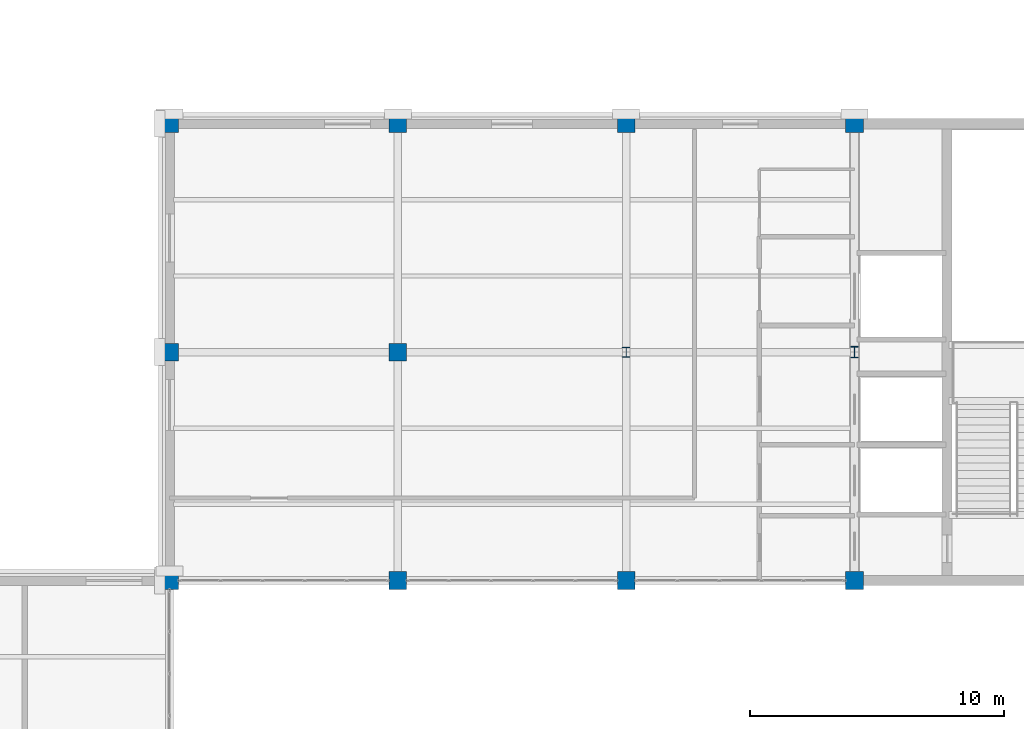
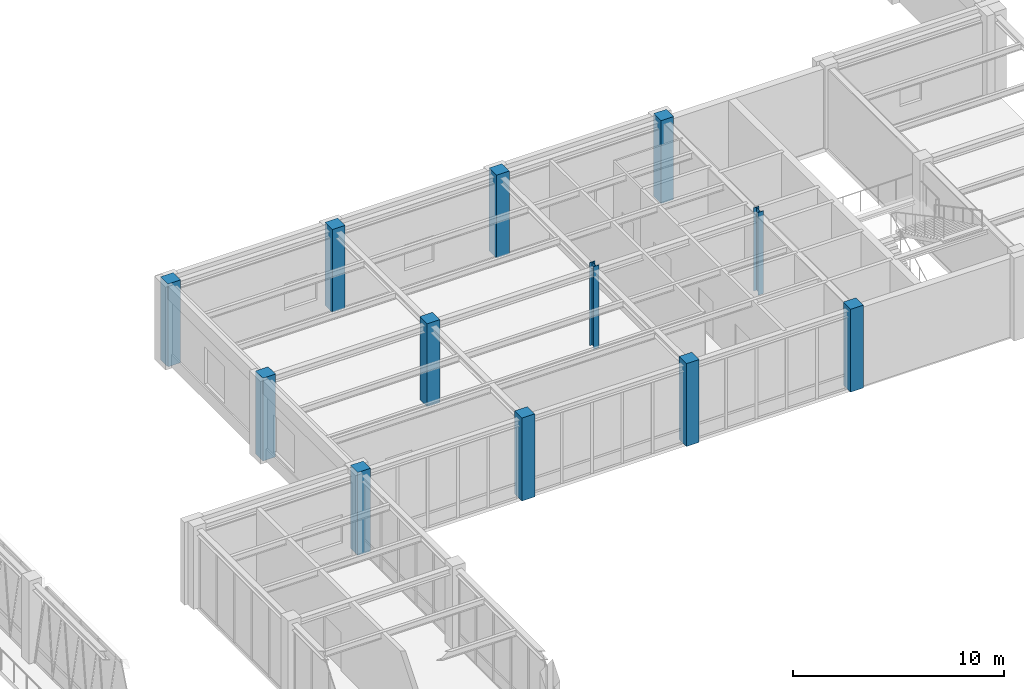
# One storey, part 12 of 92: 12 columns.
"""IFC4 building model written with IfcOpenShell, lengths in metres."""

import ifcopenshell
import ifcopenshell.guid

model = None  # the IFC model being written
_history = None  # IfcOwnerHistory: only IFC2X3 demands one
_inside = {}  # id of a spatial element -> (the spatial element, [elements in it])
_under = {}  # id of a project, library or spatial element -> (it, [spatial elements below it])
_declared = {}  # id of a project -> (the project, [libraries it declares])
_typed = {}  # id of a type object -> (the type object, [elements of that type])
_made_of = {}  # id of a material, layer set ... -> (it, [elements and type objects made of it])


def new_model(schema):
    """Start an empty IFC model of exactly this schema.

    Asked for "IFC4X3", IfcOpenShell would pick the latest addendum, in which some entities
    have other attributes; the version numbers below select the first issue.
    IFC2X3 requires an IfcOwnerHistory on every rooted entity: one is made here for all.
    """
    global model, _history
    if schema == "IFC4X3":
        model = ifcopenshell.file(schema_version=(4, 3, 0, 0))
    else:
        model = ifcopenshell.file(schema=schema)
    _inside.clear()
    _under.clear()
    _declared.clear()
    _typed.clear()
    _made_of.clear()
    _history = None
    if model.schema == "IFC2X3":
        org = make("IfcOrganization", Name="unknown")
        user = make(
            "IfcPersonAndOrganization",
            ThePerson=make("IfcPerson", FamilyName="unknown"),
            TheOrganization=org,
        )
        app = make(
            "IfcApplication",
            ApplicationDeveloper=org,
            Version="unknown",
            ApplicationFullName="unknown",
            ApplicationIdentifier="unknown",
        )
        _history = make(
            "IfcOwnerHistory",
            OwningUser=user,
            OwningApplication=app,
            ChangeAction="ADDED",
            CreationDate=0,
        )
    return model


def make(cls, **values):
    """One entity of the class cls with the attributes given. An attribute that is None is left unset."""
    return model.create_entity(
        cls, **{name: value for name, value in values.items() if value is not None}
    )


def rooted(cls, **values):
    """An entity with a GlobalId (a new one), such as an element, a storey or a relation."""
    return make(cls, GlobalId=ifcopenshell.guid.new(), OwnerHistory=_history, **values)


def si_unit(unit_type, name, prefix=None):
    """IfcSIUnit, for example si_unit("LENGTHUNIT", "METRE", prefix="MILLI")."""
    return make("IfcSIUnit", UnitType=unit_type, Prefix=prefix, Name=name)


def assignment(units):
    """IfcUnitAssignment: the units of a project."""
    return None if units is None else make("IfcUnitAssignment", Units=units)


def point(xyz):
    """IfcCartesianPoint."""
    return None if xyz is None else make("IfcCartesianPoint", Coordinates=xyz)


def direction(xyz):
    """IfcDirection."""
    return None if xyz is None else make("IfcDirection", DirectionRatios=xyz)


def frame(location, z_axis=None, x_axis=None):
    """IfcAxis2Placement3D, a coordinate frame: its origin and axes. An axis left out is left unset."""
    return make(
        "IfcAxis2Placement3D",
        Location=point(location),
        Axis=direction(z_axis),
        RefDirection=direction(x_axis),
    )


def frame_2d(location, x_axis=None):
    """IfcAxis2Placement2D, a coordinate frame in the plane: its origin and x axis."""
    return make(
        "IfcAxis2Placement2D", Location=point(location), RefDirection=direction(x_axis)
    )


def origin():
    """The frame at (0, 0, 0) with its axes left unset."""
    return frame((0.0, 0.0, 0.0))


def origin_2d():
    """The frame at (0, 0) in the plane with its x axis left unset."""
    return frame_2d((0.0, 0.0))


def place(relative_to, where):
    """IfcLocalPlacement: puts the frame where relative to a parent placement (None: the world)."""
    return make(
        "IfcLocalPlacement", PlacementRelTo=relative_to, RelativePlacement=where
    )


def context(
    kind, dimensions, precision=None, world=None, true_north=None, identifier=None
):
    """IfcGeometricRepresentationContext, for example the 3D "Model" context."""
    return make(
        "IfcGeometricRepresentationContext",
        ContextIdentifier=identifier,
        ContextType=kind,
        CoordinateSpaceDimension=dimensions,
        Precision=precision,
        WorldCoordinateSystem=world,
        TrueNorth=true_north,
    )


def subcontext(parent, identifier, kind, view, scale=None):
    """IfcGeometricRepresentationSubContext, for example "Body" below "Model"."""
    return make(
        "IfcGeometricRepresentationSubContext",
        ContextIdentifier=identifier,
        ContextType=kind,
        ParentContext=parent,
        TargetScale=scale,
        TargetView=view,
    )


def project(units=None, contexts=None):
    """IfcProject with its units and contexts."""
    return rooted(
        "IfcProject",
        Name="project",
        RepresentationContexts=contexts,
        UnitsInContext=assignment(units),
    )


def spatial(cls, under=None, at=None, **own):
    """A site, building, storey or space (cls), placed at a placement, below another one or the project."""
    s = rooted(cls, ObjectPlacement=at, **own)
    if under is not None:
        _under.setdefault(under.id(), (under, []))[1].append(s)
    return s


def profile(cls, at=None, kind="AREA", **sizes):
    """A parametric profile (cls). Its sizes go by their IFC names, for example OverallWidth=200.0."""
    return make(cls, ProfileType=kind, Position=at, **sizes)


def rectangle(**sizes):
    """IfcRectangleProfileDef."""
    return profile("IfcRectangleProfileDef", **sizes)


def i_section(**sizes):
    """IfcIShapeProfileDef."""
    return profile("IfcIShapeProfileDef", **sizes)


def extrude(swept, where, along, depth):
    """IfcExtrudedAreaSolid: the profile swept, set in the frame where, extruded along a direction by depth."""
    return make(
        "IfcExtrudedAreaSolid",
        SweptArea=swept,
        Position=where,
        ExtrudedDirection=direction(along),
        Depth=depth,
    )


def shape(context_of_items, identifier, shape_type, items):
    """IfcShapeRepresentation: the items that make up one representation, for example the "Body"."""
    return make(
        "IfcShapeRepresentation",
        ContextOfItems=context_of_items,
        RepresentationIdentifier=identifier,
        RepresentationType=shape_type,
        Items=items,
    )


def material(Name=None, Category=None):
    """IfcMaterial."""
    return make("IfcMaterial", Name=Name, Category=Category)


def material_profile(
    of_material, cross_section, Name=None, Category=None, Priority=None
):
    """IfcMaterialProfile: a cross section and its material."""
    return make(
        "IfcMaterialProfile",
        Name=Name,
        Material=of_material,
        Profile=cross_section,
        Priority=Priority,
        Category=Category,
    )


def profile_set(profiles, Name=None, composite=None):
    """IfcMaterialProfileSet."""
    return make(
        "IfcMaterialProfileSet",
        Name=Name,
        MaterialProfiles=profiles,
        CompositeProfile=composite,
    )


def made_of(thing, what):
    """Note that an element or type object is made of a material, layer set ...; save() writes the relation."""
    if what is not None:
        _made_of.setdefault(what.id(), (what, []))[1].append(thing)
    return thing


def type_object(cls, material=None, **own):
    """A type object (cls), such as IfcWallType, which elements share."""
    return made_of(rooted(cls, **own), material)


def element(
    cls,
    number,
    at=None,
    inside=None,
    cuts=None,
    type_object=None,
    material=None,
    context=None,
    identifier="Body",
    shape_type=None,
    held_by="IfcProductDefinitionShape",
    body=None,
    shapes=None,
    **own,
):
    """One element of the class cls, such as IfcWall. Its Tag is "e" and its number.

    at: its placement. inside: the storey or other place that contains it. cuts: it is an
    opening in that element (IfcRelVoidsElement). A single representation is given by context,
    identifier, shape_type and body (its items); several are given by shapes. held_by: the class
    of the entity that holds the representations. save() writes the other relations.
    """
    e = rooted(cls, Tag="e%d" % number, ObjectPlacement=at, **own)
    if body is not None:
        shapes = [shape(context, identifier, shape_type, body)]
    if shapes is not None:
        e.Representation = make(held_by, Representations=shapes)
    if inside is not None:
        _inside.setdefault(inside.id(), (inside, []))[1].append(e)
    if cuts is not None:
        rooted(
            "IfcRelVoidsElement", RelatingBuildingElement=cuts, RelatedOpeningElement=e
        )
    if type_object is not None:
        _typed.setdefault(type_object.id(), (type_object, []))[1].append(e)
    return made_of(e, material)


def aggregate(whole, parts):
    """IfcRelAggregates: a whole, such as a stair, and the parts it consists of."""
    return rooted("IfcRelAggregates", RelatingObject=whole, RelatedObjects=parts)


def save(model, path):
    """Write the relations noted so far, then the file.

    IfcRelAggregates (storeys below a building ...), IfcRelContainedInSpatialStructure (elements
    in a storey), IfcRelDefinesByType, IfcRelAssociatesMaterial and IfcRelDeclares: one each for
    every whole, place, type object, material and project.
    """
    for whole, parts in _under.values():
        aggregate(whole, parts)
    for where, things in _inside.values():
        rooted(
            "IfcRelContainedInSpatialStructure",
            RelatedElements=things,
            RelatingStructure=where,
        )
    for kind, things in _typed.values():
        rooted("IfcRelDefinesByType", RelatedObjects=things, RelatingType=kind)
    for what, things in _made_of.values():
        rooted("IfcRelAssociatesMaterial", RelatedObjects=things, RelatingMaterial=what)
    for by, libraries in _declared.values():
        rooted("IfcRelDeclares", RelatingContext=by, RelatedDefinitions=libraries)
    model.write(path)


model = new_model("IFC4")

# Units and contexts
model_context = context("Model", 3, precision=1e-05, world=origin(), true_north=direction((0.0, 1.0)))
body_context = subcontext(model_context, "Body", "Model", "MODEL_VIEW")
ifc_project = project(units=[si_unit("LENGTHUNIT", "METRE"), si_unit("AREAUNIT", "SQUARE_METRE"), si_unit("VOLUMEUNIT", "CUBIC_METRE"), si_unit("PLANEANGLEUNIT", "RADIAN"), si_unit("MASSUNIT", "GRAM", prefix="KILO")], contexts=[model_context])

# Site, building, storey
site_placement = place(None, origin())
site = spatial("IfcSite", under=ifc_project, at=site_placement, CompositionType="ELEMENT")
building_placement = place(site_placement, origin())
building = spatial("IfcBuilding", under=site, at=building_placement, Name="Lykobir Media Centre", CompositionType="ELEMENT")
storey_placement = place(building_placement, frame((0.0, 0.0, 5.39990234375)))
storey = spatial("IfcBuildingStorey", under=building, at=storey_placement, Name="L01", CompositionType="ELEMENT", Elevation=5.39990234375)

# Columns
ifc_material_1 = material(Name="Concrete C40/50", Category="concrete")
ifc_material_profile_1 = material_profile(ifc_material_1, rectangle(XDim=0.699951171875, YDim=0.699951171875, at=origin_2d()), Name="RC 700x700")
ifc_profile_set_1 = profile_set([ifc_material_profile_1], Name="Concrete C40/50")
column_type_1 = type_object("IfcColumnType", Name="RC-C700", PredefinedType="COLUMN", material=ifc_profile_set_1)
for number, where, z_axis, x_axis, name in (
    (1, (99.0, 72.0, 0.0), (0.0, 0.0, 1.0), (1.0, 0.0, 0.0), "Column COL-L01-0990-0720"),
    (2, (99.0, 81.0, 0.0), (0.0, 0.0, 1.0), (1.0, 0.0, 0.0), "Column COL-L01-0990-0810"),
    (3, (99.0, 90.0, 0.0), (0.0, 0.0, 1.0), (1.0, 0.0, 0.0), "Column COL-L01-0990-0900"),
    (4, (108.0, 72.0, 0.0), (0.0, 0.0, 1.0), (1.0, 0.0, 0.0), "Column COL-L01-1080-0720"),
    (5, (108.0, 81.0, 0.0), (0.0, 0.0, 1.0), (1.0, 0.0, 0.0), "Column COL-L01-1080-0810"),
    (6, (108.0, 90.0, 0.0), (0.0, 0.0, 1.0), (1.0, 0.0, 0.0), "Column COL-L01-1080-0900"),
    (7, (117.0, 72.0, 0.0), (0.0, 0.0, 1.0), (1.0, 0.0, 0.0), "Column COL-L01-1170-0720"),
    (8, (117.0, 90.0, 0.0), (0.0, 0.0, 1.0), (1.0, 0.0, 0.0), "Column COL-L01-1170-0900"),
    (9, (126.0, 72.0, 0.0), (0.0, 0.0, 1.0), (1.0, 0.0, 0.0), "Column COL-L01-1260-0720"),
    (10, (126.0, 90.0, 0.0), (0.0, 0.0, 1.0), (1.0, 0.0, 0.0), "Column COL-L01-1260-0900"),
):
    element("IfcColumn", number, at=place(storey_placement, frame(where, z_axis=z_axis, x_axis=x_axis)), inside=storey, type_object=column_type_1, Name=name, PredefinedType="COLUMN", context=body_context, shape_type="SweptSolid", body=[
        extrude(rectangle(XDim=0.699951171875, YDim=0.699951171875, at=origin_2d()), origin(), (0.0, 0.0, 1.0), 4.800048828125),
    ])
ifc_material_2 = material(Name="Steel S355", Category="steel")
ifc_material_profile_2 = material_profile(ifc_material_2, i_section(OverallWidth=0.300048828125, OverallDepth=0.39990234375, WebThickness=0.013427734375, FlangeThickness=0.02392578125, at=origin_2d()), Name="HEB 400")
ifc_profile_set_2 = profile_set([ifc_material_profile_2], Name="Steel S355")
column_type_2 = type_object("IfcColumnType", Name="SC-HEB400", PredefinedType="COLUMN", material=ifc_profile_set_2)
column_1_placement = place(storey_placement, frame((117.0, 81.0, 0.0), z_axis=(0.0, 0.0, 1.0), x_axis=(1.0, 0.0, 0.0)))
element("IfcColumn", 11, at=column_1_placement, inside=storey, type_object=column_type_2, Name="Column COL-L01-1170-0810", PredefinedType="COLUMN", context=body_context, shape_type="SweptSolid", body=[
    extrude(i_section(OverallWidth=0.300048828125, OverallDepth=0.39990234375, WebThickness=0.013427734375, FlangeThickness=0.02392578125, at=origin_2d()), origin(), (0.0, 0.0, 1.0), 4.800048828125),
])
ifc_material_profile_3 = material_profile(ifc_material_2, i_section(OverallWidth=0.300048828125, OverallDepth=0.449951171875, WebThickness=0.013916015625, FlangeThickness=0.02587890625, at=origin_2d()), Name="HEB 450")
ifc_profile_set_3 = profile_set([ifc_material_profile_3], Name="Steel S355")
column_type_3 = type_object("IfcColumnType", Name="SC-HEB450", PredefinedType="COLUMN", material=ifc_profile_set_3)
column_2_placement = place(storey_placement, frame((126.0, 81.0, 0.0), z_axis=(0.0, 0.0, 1.0), x_axis=(1.0, 0.0, 0.0)))
element("IfcColumn", 12, at=column_2_placement, inside=storey, type_object=column_type_3, Name="Column COL-L01-1260-0810", PredefinedType="COLUMN", context=body_context, shape_type="SweptSolid", body=[
    extrude(i_section(OverallWidth=0.300048828125, OverallDepth=0.449951171875, WebThickness=0.013916015625, FlangeThickness=0.02587890625, at=origin_2d()), origin(), (0.0, 0.0, 1.0), 4.800048828125),
])

save(model, "model.ifc")
